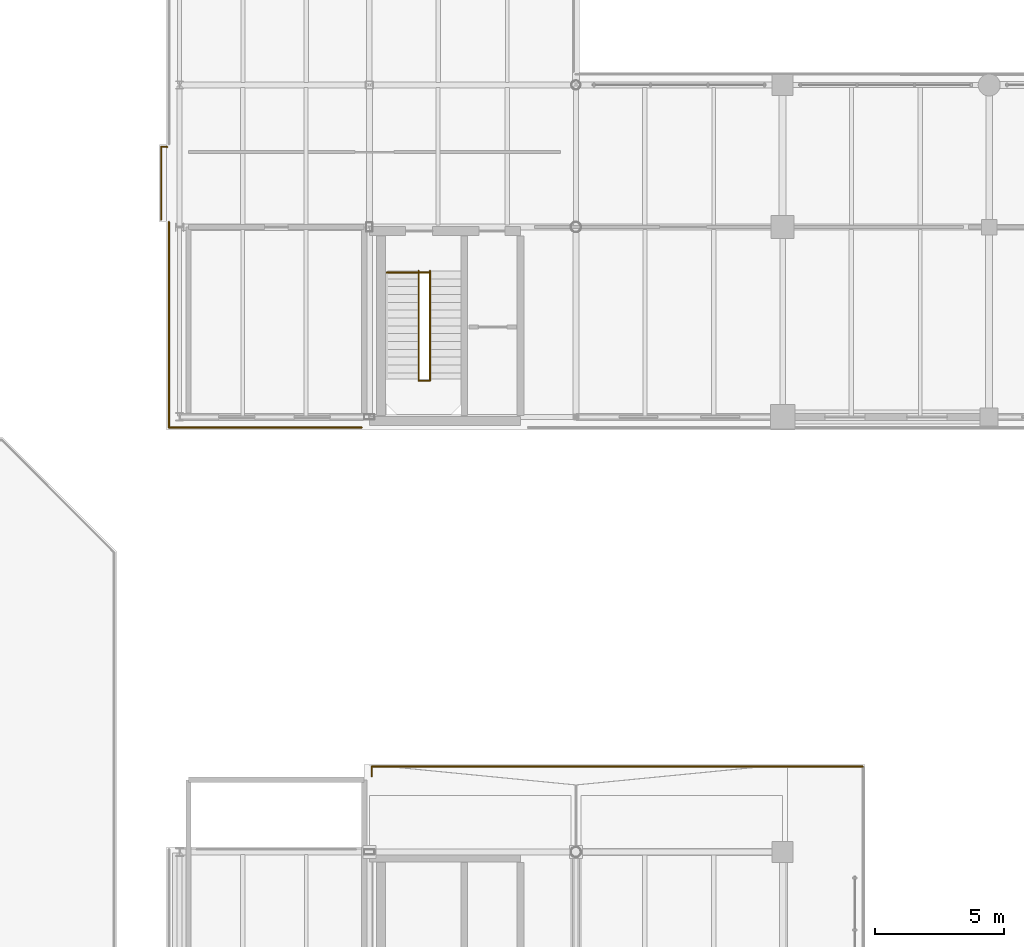
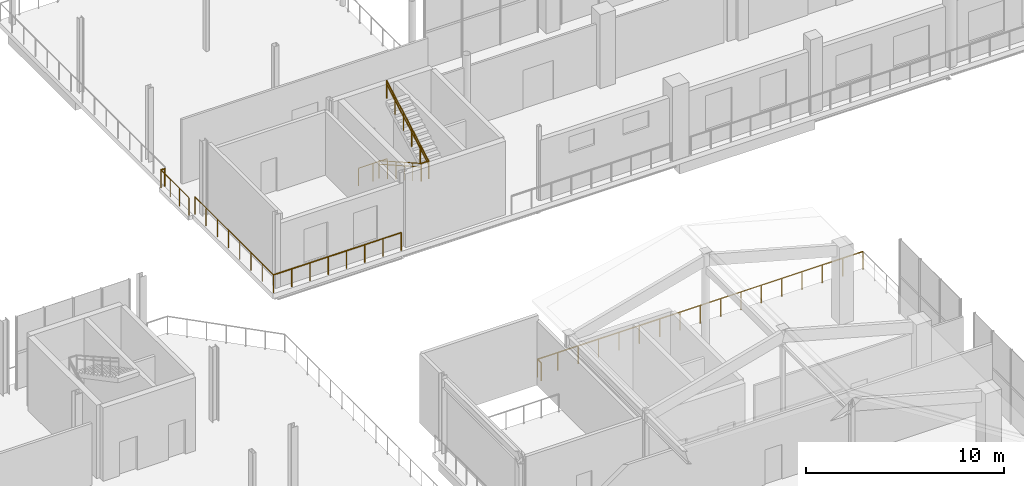
# One storey, part 67 of 70: 12 railings.
"""IFC4 building model written with IfcOpenShell, lengths in metres."""

import ifcopenshell
import ifcopenshell.guid

model = None  # the IFC model being written
_history = None  # IfcOwnerHistory: only IFC2X3 demands one
_inside = {}  # id of a spatial element -> (the spatial element, [elements in it])
_under = {}  # id of a project, library or spatial element -> (it, [spatial elements below it])
_declared = {}  # id of a project -> (the project, [libraries it declares])
_typed = {}  # id of a type object -> (the type object, [elements of that type])
_made_of = {}  # id of a material, layer set ... -> (it, [elements and type objects made of it])


def new_model(schema):
    """Start an empty IFC model of exactly this schema.

    Asked for "IFC4X3", IfcOpenShell would pick the latest addendum, in which some entities
    have other attributes; the version numbers below select the first issue.
    IFC2X3 requires an IfcOwnerHistory on every rooted entity: one is made here for all.
    """
    global model, _history
    if schema == "IFC4X3":
        model = ifcopenshell.file(schema_version=(4, 3, 0, 0))
    else:
        model = ifcopenshell.file(schema=schema)
    _inside.clear()
    _under.clear()
    _declared.clear()
    _typed.clear()
    _made_of.clear()
    _history = None
    if model.schema == "IFC2X3":
        org = make("IfcOrganization", Name="unknown")
        user = make(
            "IfcPersonAndOrganization",
            ThePerson=make("IfcPerson", FamilyName="unknown"),
            TheOrganization=org,
        )
        app = make(
            "IfcApplication",
            ApplicationDeveloper=org,
            Version="unknown",
            ApplicationFullName="unknown",
            ApplicationIdentifier="unknown",
        )
        _history = make(
            "IfcOwnerHistory",
            OwningUser=user,
            OwningApplication=app,
            ChangeAction="ADDED",
            CreationDate=0,
        )
    return model


def make(cls, **values):
    """One entity of the class cls with the attributes given. An attribute that is None is left unset."""
    return model.create_entity(
        cls, **{name: value for name, value in values.items() if value is not None}
    )


def rooted(cls, **values):
    """An entity with a GlobalId (a new one), such as an element, a storey or a relation."""
    return make(cls, GlobalId=ifcopenshell.guid.new(), OwnerHistory=_history, **values)


def si_unit(unit_type, name, prefix=None):
    """IfcSIUnit, for example si_unit("LENGTHUNIT", "METRE", prefix="MILLI")."""
    return make("IfcSIUnit", UnitType=unit_type, Prefix=prefix, Name=name)


def assignment(units):
    """IfcUnitAssignment: the units of a project."""
    return None if units is None else make("IfcUnitAssignment", Units=units)


def point(xyz):
    """IfcCartesianPoint."""
    return None if xyz is None else make("IfcCartesianPoint", Coordinates=xyz)


def direction(xyz):
    """IfcDirection."""
    return None if xyz is None else make("IfcDirection", DirectionRatios=xyz)


def frame(location, z_axis=None, x_axis=None):
    """IfcAxis2Placement3D, a coordinate frame: its origin and axes. An axis left out is left unset."""
    return make(
        "IfcAxis2Placement3D",
        Location=point(location),
        Axis=direction(z_axis),
        RefDirection=direction(x_axis),
    )


def frame_2d(location, x_axis=None):
    """IfcAxis2Placement2D, a coordinate frame in the plane: its origin and x axis."""
    return make(
        "IfcAxis2Placement2D", Location=point(location), RefDirection=direction(x_axis)
    )


def origin():
    """The frame at (0, 0, 0) with its axes left unset."""
    return frame((0.0, 0.0, 0.0))


def origin_2d():
    """The frame at (0, 0) in the plane with its x axis left unset."""
    return frame_2d((0.0, 0.0))


def place(relative_to, where):
    """IfcLocalPlacement: puts the frame where relative to a parent placement (None: the world)."""
    return make(
        "IfcLocalPlacement", PlacementRelTo=relative_to, RelativePlacement=where
    )


def context(
    kind, dimensions, precision=None, world=None, true_north=None, identifier=None
):
    """IfcGeometricRepresentationContext, for example the 3D "Model" context."""
    return make(
        "IfcGeometricRepresentationContext",
        ContextIdentifier=identifier,
        ContextType=kind,
        CoordinateSpaceDimension=dimensions,
        Precision=precision,
        WorldCoordinateSystem=world,
        TrueNorth=true_north,
    )


def subcontext(parent, identifier, kind, view, scale=None):
    """IfcGeometricRepresentationSubContext, for example "Body" below "Model"."""
    return make(
        "IfcGeometricRepresentationSubContext",
        ContextIdentifier=identifier,
        ContextType=kind,
        ParentContext=parent,
        TargetScale=scale,
        TargetView=view,
    )


def project(units=None, contexts=None):
    """IfcProject with its units and contexts."""
    return rooted(
        "IfcProject",
        Name="project",
        RepresentationContexts=contexts,
        UnitsInContext=assignment(units),
    )


def spatial(cls, under=None, at=None, **own):
    """A site, building, storey or space (cls), placed at a placement, below another one or the project."""
    s = rooted(cls, ObjectPlacement=at, **own)
    if under is not None:
        _under.setdefault(under.id(), (under, []))[1].append(s)
    return s


def profile(cls, at=None, kind="AREA", **sizes):
    """A parametric profile (cls). Its sizes go by their IFC names, for example OverallWidth=200.0."""
    return make(cls, ProfileType=kind, Position=at, **sizes)


def circle(**sizes):
    """IfcCircleProfileDef."""
    return profile("IfcCircleProfileDef", **sizes)


def extrude(swept, where, along, depth):
    """IfcExtrudedAreaSolid: the profile swept, set in the frame where, extruded along a direction by depth."""
    return make(
        "IfcExtrudedAreaSolid",
        SweptArea=swept,
        Position=where,
        ExtrudedDirection=direction(along),
        Depth=depth,
    )


def shape(context_of_items, identifier, shape_type, items):
    """IfcShapeRepresentation: the items that make up one representation, for example the "Body"."""
    return make(
        "IfcShapeRepresentation",
        ContextOfItems=context_of_items,
        RepresentationIdentifier=identifier,
        RepresentationType=shape_type,
        Items=items,
    )


def material(Name=None, Category=None):
    """IfcMaterial."""
    return make("IfcMaterial", Name=Name, Category=Category)


def made_of(thing, what):
    """Note that an element or type object is made of a material, layer set ...; save() writes the relation."""
    if what is not None:
        _made_of.setdefault(what.id(), (what, []))[1].append(thing)
    return thing


def type_object(cls, material=None, **own):
    """A type object (cls), such as IfcWallType, which elements share."""
    return made_of(rooted(cls, **own), material)


def element(
    cls,
    number,
    at=None,
    inside=None,
    cuts=None,
    type_object=None,
    material=None,
    context=None,
    identifier="Body",
    shape_type=None,
    held_by="IfcProductDefinitionShape",
    body=None,
    shapes=None,
    **own,
):
    """One element of the class cls, such as IfcWall. Its Tag is "e" and its number.

    at: its placement. inside: the storey or other place that contains it. cuts: it is an
    opening in that element (IfcRelVoidsElement). A single representation is given by context,
    identifier, shape_type and body (its items); several are given by shapes. held_by: the class
    of the entity that holds the representations. save() writes the other relations.
    """
    e = rooted(cls, Tag="e%d" % number, ObjectPlacement=at, **own)
    if body is not None:
        shapes = [shape(context, identifier, shape_type, body)]
    if shapes is not None:
        e.Representation = make(held_by, Representations=shapes)
    if inside is not None:
        _inside.setdefault(inside.id(), (inside, []))[1].append(e)
    if cuts is not None:
        rooted(
            "IfcRelVoidsElement", RelatingBuildingElement=cuts, RelatedOpeningElement=e
        )
    if type_object is not None:
        _typed.setdefault(type_object.id(), (type_object, []))[1].append(e)
    return made_of(e, material)


def aggregate(whole, parts):
    """IfcRelAggregates: a whole, such as a stair, and the parts it consists of."""
    return rooted("IfcRelAggregates", RelatingObject=whole, RelatedObjects=parts)


def save(model, path):
    """Write the relations noted so far, then the file.

    IfcRelAggregates (storeys below a building ...), IfcRelContainedInSpatialStructure (elements
    in a storey), IfcRelDefinesByType, IfcRelAssociatesMaterial and IfcRelDeclares: one each for
    every whole, place, type object, material and project.
    """
    for whole, parts in _under.values():
        aggregate(whole, parts)
    for where, things in _inside.values():
        rooted(
            "IfcRelContainedInSpatialStructure",
            RelatedElements=things,
            RelatingStructure=where,
        )
    for kind, things in _typed.values():
        rooted("IfcRelDefinesByType", RelatedObjects=things, RelatingType=kind)
    for what, things in _made_of.values():
        rooted("IfcRelAssociatesMaterial", RelatedObjects=things, RelatingMaterial=what)
    for by, libraries in _declared.values():
        rooted("IfcRelDeclares", RelatingContext=by, RelatedDefinitions=libraries)
    model.write(path)


model = new_model("IFC4")

# Units and contexts
model_context = context("Model", 3, precision=1e-05, world=origin(), true_north=direction((0.0, 1.0)))
body_context = subcontext(model_context, "Body", "Model", "MODEL_VIEW")
ifc_project = project(units=[si_unit("LENGTHUNIT", "METRE"), si_unit("AREAUNIT", "SQUARE_METRE"), si_unit("VOLUMEUNIT", "CUBIC_METRE"), si_unit("PLANEANGLEUNIT", "RADIAN"), si_unit("MASSUNIT", "GRAM", prefix="KILO")], contexts=[model_context])

# Site, building, storey
site_placement = place(None, origin())
site = spatial("IfcSite", under=ifc_project, at=site_placement, CompositionType="ELEMENT")
building_placement = place(site_placement, origin())
building = spatial("IfcBuilding", under=site, at=building_placement, Name="Brisemont Oceanarium", CompositionType="ELEMENT")
storey_placement = place(building_placement, frame((0.0, 0.0, 10.199951171875)))
storey = spatial("IfcBuildingStorey", under=building, at=storey_placement, Name="L02", CompositionType="ELEMENT", Elevation=10.199951171875)

# Railings
ifc_material_1 = material(Name="Duplex Stainless Steel EN 1.4462", Category="steel")
railing_type_1 = type_object("IfcRailingType", Name="RLG-GUARD-1120", PredefinedType="GUARDRAIL", material=ifc_material_1)
railing_1_placement = place(storey_placement, frame((120.669921875, 86.239990234375, 0.0)))
element("IfcRailing", 1, at=railing_1_placement, inside=storey, type_object=railing_type_1, Name="ST-07 L02 landing edge guard", PredefinedType="GUARDRAIL", context=body_context, shape_type="SweptSolid", body=[
    extrude(circle(Radius=0.02392578125, at=origin_2d()), frame((0.0, 0.0, 1.09619140625), z_axis=(1.0, 0.0, 0.0), x_axis=(0.0, 1.0, 0.0)), (0.0, 0.0, 1.0), 1.68017578125),
    extrude(circle(Radius=0.02099609375, at=origin_2d()), origin(), (0.0, 0.0, 1.0), 1.072021484375),
    extrude(circle(Radius=0.02099609375, at=origin_2d()), frame((0.840087890625, 0.0, 0.0)), (0.0, 0.0, 1.0), 1.072021484375),
    extrude(circle(Radius=0.02099609375, at=origin_2d()), frame((1.68017578125, 0.0, 0.0)), (0.0, 0.0, 1.0), 1.072021484375),
])
railing_2_placement = place(storey_placement, frame((121.909912109375, 86.300048828125, 0.0)))
element("IfcRailing", 2, at=railing_2_placement, inside=storey, type_object=railing_type_1, Name="ST-07 L02 F1 well guard", PredefinedType="GUARDRAIL", context=body_context, shape_type="SweptSolid", body=[
    extrude(circle(Radius=0.02392578125, at=origin_2d()), frame((0.0, 0.0, 1.09619140625), z_axis=(0.0, -0.870740716755, 0.491742416499), x_axis=(1.0, 0.0, 0.0)), (0.0, 0.0, 1.0), 4.880859375),
    extrude(circle(Radius=0.02099609375, at=origin_2d()), origin(), (0.0, 0.0, 1.0), 1.072021484375),
    extrude(circle(Radius=0.02099609375, at=origin_2d()), frame((0.0, -0.85009765625, 0.47998046875)), (0.0, 0.0, 1.0), 1.072021484375),
    extrude(circle(Radius=0.02099609375, at=origin_2d()), frame((0.0, -1.699951171875, 0.9599609375)), (0.0, 0.0, 1.0), 1.072021484375),
    extrude(circle(Radius=0.02099609375, at=origin_2d()), frame((0.0, -2.550048828125, 1.440185546875)), (0.0, 0.0, 1.0), 1.072021484375),
    extrude(circle(Radius=0.02099609375, at=origin_2d()), frame((0.0, -3.39990234375, 1.920166015625)), (0.0, 0.0, 1.0), 1.072021484375),
    extrude(circle(Radius=0.02099609375, at=origin_2d()), frame((0.0, -4.25, 2.400146484375)), (0.0, 0.0, 1.0), 1.072021484375),
])
railing_3_placement = place(storey_placement, frame((122.35009765625, 82.050048828125, 2.400146484375)))
element("IfcRailing", 3, at=railing_3_placement, inside=storey, type_object=railing_type_1, Name="ST-07 L02 F2 well guard", PredefinedType="GUARDRAIL", context=body_context, shape_type="SweptSolid", body=[
    extrude(circle(Radius=0.02392578125, at=origin_2d()), frame((0.0, 0.0, 1.09619140625), z_axis=(0.0, 0.870762133844, 0.491704490791), x_axis=(-1.0, 0.0, 0.0)), (0.0, 0.0, 1.0), 4.880859375),
    extrude(circle(Radius=0.02099609375, at=origin_2d()), origin(), (0.0, 0.0, 1.0), 1.072021484375),
    extrude(circle(Radius=0.02099609375, at=origin_2d()), frame((0.0, 0.85009765625, 0.47998046875)), (0.0, 0.0, 1.0), 1.072021484375),
    extrude(circle(Radius=0.02099609375, at=origin_2d()), frame((0.0, 1.699951171875, 0.9599609375)), (0.0, 0.0, 1.0), 1.072021484375),
    extrude(circle(Radius=0.02099609375, at=origin_2d()), frame((0.0, 2.550048828125, 1.43994140625)), (0.0, 0.0, 1.0), 1.072021484375),
    extrude(circle(Radius=0.02099609375, at=origin_2d()), frame((0.0, 3.39990234375, 1.919921875)), (0.0, 0.0, 1.0), 1.072021484375),
    extrude(circle(Radius=0.02099609375, at=origin_2d()), frame((0.0, 4.25, 2.39990234375)), (0.0, 0.0, 1.0), 1.072021484375),
])
railing_4_placement = place(storey_placement, frame((121.909912109375, 82.050048828125, 2.400146484375)))
element("IfcRailing", 4, at=railing_4_placement, inside=storey, type_object=railing_type_1, Name="ST-07 L02 landing slot guard", PredefinedType="GUARDRAIL", context=body_context, shape_type="SweptSolid", body=[
    extrude(circle(Radius=0.02392578125, at=origin_2d()), frame((0.0, 0.0, 1.09619140625), z_axis=(1.0, 0.0, 0.0), x_axis=(0.0, 1.0, 0.0)), (0.0, 0.0, 1.0), 0.440185546875),
    extrude(circle(Radius=0.02099609375, at=origin_2d()), origin(), (0.0, 0.0, 1.0), 1.072021484375),
    extrude(circle(Radius=0.02099609375, at=origin_2d()), frame((0.440185546875, 0.0, 0.0)), (0.0, 0.0, 1.0), 1.072021484375),
])
railing_5_placement = place(storey_placement, frame((111.93994140625, 91.110107421875, 0.0)))
element("IfcRailing", 5, at=railing_5_placement, inside=storey, type_object=railing_type_1, Name="L02 slab perimeter safety guard 109", PredefinedType="GUARDRAIL", context=body_context, shape_type="SweptSolid", body=[
    extrude(circle(Radius=0.02392578125, at=origin_2d()), frame((0.0, 0.0, 1.09619140625), z_axis=(0.999691679207, -0.024830354883, 0.0), x_axis=(0.024830354883, 0.999691679207, 0.0)), (0.0, 0.0, 1.0), 0.22607421875),
    extrude(circle(Radius=0.02099609375, at=origin_2d()), origin(), (0.0, 0.0, 1.0), 1.072021484375),
    extrude(circle(Radius=0.02099609375, at=origin_2d()), frame((0.22607421875, -0.005615234375, 0.0)), (0.0, 0.0, 1.0), 1.072021484375),
])
railing_6_placement = place(storey_placement, frame((119.703125, 80.239990234375, 0.0)))
element("IfcRailing", 6, at=railing_6_placement, inside=storey, type_object=railing_type_1, Name="L02 slab perimeter safety guard 118", PredefinedType="GUARDRAIL", context=body_context, shape_type="SweptSolid", body=[
    extrude(circle(Radius=0.02392578125, at=origin_2d()), frame((0.0, 0.0, 1.09619140625), z_axis=(-1.0, 0.0, 0.0), x_axis=(0.0, -1.0, 0.0)), (0.0, 0.0, 1.0), 7.462646484375),
    extrude(circle(Radius=0.02099609375, at=origin_2d()), origin(), (0.0, 0.0, 1.0), 1.072021484375),
    extrude(circle(Radius=0.02099609375, at=origin_2d()), frame((-1.066162109375, 0.0, 0.0)), (0.0, 0.0, 1.0), 1.072021484375),
    extrude(circle(Radius=0.02099609375, at=origin_2d()), frame((-2.132080078125, 0.0, 0.0)), (0.0, 0.0, 1.0), 1.072021484375),
    extrude(circle(Radius=0.02099609375, at=origin_2d()), frame((-3.1982421875, 0.0, 0.0)), (0.0, 0.0, 1.0), 1.072021484375),
    extrude(circle(Radius=0.02099609375, at=origin_2d()), frame((-4.264404296875, 0.0, 0.0)), (0.0, 0.0, 1.0), 1.072021484375),
    extrude(circle(Radius=0.02099609375, at=origin_2d()), frame((-5.33056640625, 0.0, 0.0)), (0.0, 0.0, 1.0), 1.072021484375),
    extrude(circle(Radius=0.02099609375, at=origin_2d()), frame((-6.396484375, 0.0, 0.0)), (0.0, 0.0, 1.0), 1.072021484375),
    extrude(circle(Radius=0.02099609375, at=origin_2d()), frame((-7.462646484375, 0.0, 0.0)), (0.0, 0.0, 1.0), 1.072021484375),
])
railing_7_placement = place(storey_placement, frame((112.240478515625, 80.239990234375, 0.0)))
element("IfcRailing", 7, at=railing_7_placement, inside=storey, type_object=railing_type_1, Name="L02 slab perimeter safety guard 119", PredefinedType="GUARDRAIL", context=body_context, shape_type="SweptSolid", body=[
    extrude(circle(Radius=0.02392578125, at=origin_2d()), frame((0.0, 0.0, 1.09619140625), z_axis=(-6.1372284e-05, 0.999999998117, 0.0), x_axis=(-0.999999998117, -6.1372284e-05, 0.0)), (0.0, 0.0, 1.0), 7.9560546875),
    extrude(circle(Radius=0.02099609375, at=origin_2d()), origin(), (0.0, 0.0, 1.0), 1.072021484375),
    extrude(circle(Radius=0.02099609375, at=origin_2d()), frame((0.0, 1.136474609375, 0.0)), (0.0, 0.0, 1.0), 1.072021484375),
    extrude(circle(Radius=0.02099609375, at=origin_2d()), frame((-0.000244140625, 2.273193359375, 0.0)), (0.0, 0.0, 1.0), 1.072021484375),
    extrude(circle(Radius=0.02099609375, at=origin_2d()), frame((-0.000244140625, 3.40966796875, 0.0)), (0.0, 0.0, 1.0), 1.072021484375),
    extrude(circle(Radius=0.02099609375, at=origin_2d()), frame((-0.000244140625, 4.54638671875, 0.0)), (0.0, 0.0, 1.0), 1.072021484375),
    extrude(circle(Radius=0.02099609375, at=origin_2d()), frame((-0.000244140625, 5.682861328125, 0.0)), (0.0, 0.0, 1.0), 1.072021484375),
    extrude(circle(Radius=0.02099609375, at=origin_2d()), frame((-0.00048828125, 6.819580078125, 0.0)), (0.0, 0.0, 1.0), 1.072021484375),
    extrude(circle(Radius=0.02099609375, at=origin_2d()), frame((-0.00048828125, 7.9560546875, 0.0)), (0.0, 0.0, 1.0), 1.072021484375),
])
railing_8_placement = place(storey_placement, frame((111.93994140625, 88.2900390625, 0.0)))
element("IfcRailing", 8, at=railing_8_placement, inside=storey, type_object=railing_type_1, Name="L02 slab perimeter safety guard 120", PredefinedType="GUARDRAIL", context=body_context, shape_type="SweptSolid", body=[
    extrude(circle(Radius=0.02392578125, at=origin_2d()), frame((0.0, 0.0, 1.09619140625), z_axis=(0.0, 1.0, 0.0), x_axis=(-1.0, 0.0, 0.0)), (0.0, 0.0, 1.0), 2.820068359375),
    extrude(circle(Radius=0.02099609375, at=origin_2d()), origin(), (0.0, 0.0, 1.0), 1.072021484375),
    extrude(circle(Radius=0.02099609375, at=origin_2d()), frame((0.0, 0.93994140625, 0.0)), (0.0, 0.0, 1.0), 1.072021484375),
    extrude(circle(Radius=0.02099609375, at=origin_2d()), frame((0.0, 1.880126953125, 0.0)), (0.0, 0.0, 1.0), 1.072021484375),
    extrude(circle(Radius=0.02099609375, at=origin_2d()), frame((0.0, 2.820068359375, 0.0)), (0.0, 0.0, 1.0), 1.072021484375),
])
railing_9_placement = place(storey_placement, frame((120.090087890625, 66.734375, 0.0)))
element("IfcRailing", 9, at=railing_9_placement, inside=storey, type_object=railing_type_1, Name="L02 slab perimeter safety guard 130", PredefinedType="GUARDRAIL", context=body_context, shape_type="SweptSolid", body=[
    extrude(circle(Radius=0.02392578125, at=origin_2d()), frame((0.0, 0.0, 1.09619140625), z_axis=(0.0, 1.0, 0.0), x_axis=(-1.0, 0.0, 0.0)), (0.0, 0.0, 1.0), 0.375244140625),
    extrude(circle(Radius=0.02099609375, at=origin_2d()), origin(), (0.0, 0.0, 1.0), 1.072021484375),
    extrude(circle(Radius=0.02099609375, at=origin_2d()), frame((0.0, 0.375244140625, 0.0)), (0.0, 0.0, 1.0), 1.072021484375),
])
railing_10_placement = place(storey_placement, frame((120.090087890625, 67.109619140625, 0.0)))
element("IfcRailing", 10, at=railing_10_placement, inside=storey, type_object=railing_type_1, Name="L02 slab perimeter safety guard 131", PredefinedType="GUARDRAIL", context=body_context, shape_type="SweptSolid", body=[
    extrude(circle(Radius=0.02392578125, at=origin_2d()), frame((0.0, 0.0, 1.09619140625), z_axis=(0.99999999967, 2.5672623e-05, 0.0), x_axis=(-2.5672623e-05, 0.99999999967, 0.0)), (0.0, 0.0, 1.0), 19.01953125),
    extrude(circle(Radius=0.02099609375, at=origin_2d()), origin(), (0.0, 0.0, 1.0), 1.072021484375),
    extrude(circle(Radius=0.02099609375, at=origin_2d()), frame((1.188720703125, 0.0, 0.0)), (0.0, 0.0, 1.0), 1.072021484375),
    extrude(circle(Radius=0.02099609375, at=origin_2d()), frame((2.37744140625, 0.0, 0.0)), (0.0, 0.0, 1.0), 1.072021484375),
    extrude(circle(Radius=0.02099609375, at=origin_2d()), frame((3.566162109375, 0.0, 0.0)), (0.0, 0.0, 1.0), 1.072021484375),
    extrude(circle(Radius=0.02099609375, at=origin_2d()), frame((4.7548828125, 0.0, 0.0)), (0.0, 0.0, 1.0), 1.072021484375),
    extrude(circle(Radius=0.02099609375, at=origin_2d()), frame((5.943603515625, 0.000244140625, 0.0)), (0.0, 0.0, 1.0), 1.072021484375),
    extrude(circle(Radius=0.02099609375, at=origin_2d()), frame((7.13232421875, 0.000244140625, 0.0)), (0.0, 0.0, 1.0), 1.072021484375),
    extrude(circle(Radius=0.02099609375, at=origin_2d()), frame((8.321044921875, 0.000244140625, 0.0)), (0.0, 0.0, 1.0), 1.072021484375),
    extrude(circle(Radius=0.02099609375, at=origin_2d()), frame((9.509765625, 0.000244140625, 0.0)), (0.0, 0.0, 1.0), 1.072021484375),
    extrude(circle(Radius=0.02099609375, at=origin_2d()), frame((10.698486328125, 0.000244140625, 0.0)), (0.0, 0.0, 1.0), 1.072021484375),
    extrude(circle(Radius=0.02099609375, at=origin_2d()), frame((11.88720703125, 0.000244140625, 0.0)), (0.0, 0.0, 1.0), 1.072021484375),
    extrude(circle(Radius=0.02099609375, at=origin_2d()), frame((13.075927734375, 0.000244140625, 0.0)), (0.0, 0.0, 1.0), 1.072021484375),
    extrude(circle(Radius=0.02099609375, at=origin_2d()), frame((14.2646484375, 0.00048828125, 0.0)), (0.0, 0.0, 1.0), 1.072021484375),
    extrude(circle(Radius=0.02099609375, at=origin_2d()), frame((15.453369140625, 0.00048828125, 0.0)), (0.0, 0.0, 1.0), 1.072021484375),
    extrude(circle(Radius=0.02099609375, at=origin_2d()), frame((16.64208984375, 0.00048828125, 0.0)), (0.0, 0.0, 1.0), 1.072021484375),
    extrude(circle(Radius=0.02099609375, at=origin_2d()), frame((17.830810546875, 0.00048828125, 0.0)), (0.0, 0.0, 1.0), 1.072021484375),
    extrude(circle(Radius=0.02099609375, at=origin_2d()), frame((19.01953125, 0.00048828125, 0.0)), (0.0, 0.0, 1.0), 1.072021484375),
])
ifc_material_2 = material(Name="Duplex Stainless Steel EN 1.4462", Category="steel")
railing_type_2 = type_object("IfcRailingType", Name="RLG-HAND-900", PredefinedType="HANDRAIL", material=ifc_material_2)
railing_11_placement = place(storey_placement, frame((121.909912109375, 86.300048828125, 0.0)))
element("IfcRailing", 11, at=railing_11_placement, inside=storey, type_object=railing_type_2, Name="ST-07 L02 F1 handrail", PredefinedType="HANDRAIL", context=body_context, shape_type="SweptSolid", body=[
    extrude(circle(Radius=0.02392578125, at=origin_2d()), frame((0.0, 0.0, 0.8759765625), z_axis=(0.0, -0.870740716755, 0.491742416499), x_axis=(1.0, 0.0, 0.0)), (0.0, 0.0, 1.0), 4.880859375),
    extrude(circle(Radius=0.02099609375, at=origin_2d()), origin(), (0.0, 0.0, 1.0), 0.851806640625),
    extrude(circle(Radius=0.02099609375, at=origin_2d()), frame((0.0, -0.85009765625, 0.47998046875)), (0.0, 0.0, 1.0), 0.851806640625),
    extrude(circle(Radius=0.02099609375, at=origin_2d()), frame((0.0, -1.699951171875, 0.9599609375)), (0.0, 0.0, 1.0), 0.851806640625),
    extrude(circle(Radius=0.02099609375, at=origin_2d()), frame((0.0, -2.550048828125, 1.440185546875)), (0.0, 0.0, 1.0), 0.851806640625),
    extrude(circle(Radius=0.02099609375, at=origin_2d()), frame((0.0, -3.39990234375, 1.920166015625)), (0.0, 0.0, 1.0), 0.851806640625),
    extrude(circle(Radius=0.02099609375, at=origin_2d()), frame((0.0, -4.25, 2.400146484375)), (0.0, 0.0, 1.0), 0.851806640625),
])
railing_12_placement = place(storey_placement, frame((122.35009765625, 82.050048828125, 2.400146484375)))
element("IfcRailing", 12, at=railing_12_placement, inside=storey, type_object=railing_type_2, Name="ST-07 L02 F2 handrail", PredefinedType="HANDRAIL", context=body_context, shape_type="SweptSolid", body=[
    extrude(circle(Radius=0.02392578125, at=origin_2d()), frame((0.0, 0.0, 0.8759765625), z_axis=(0.0, 0.870762133844, 0.491704490791), x_axis=(-1.0, 0.0, 0.0)), (0.0, 0.0, 1.0), 4.880859375),
    extrude(circle(Radius=0.02099609375, at=origin_2d()), origin(), (0.0, 0.0, 1.0), 0.851806640625),
    extrude(circle(Radius=0.02099609375, at=origin_2d()), frame((0.0, 0.85009765625, 0.47998046875)), (0.0, 0.0, 1.0), 0.851806640625),
    extrude(circle(Radius=0.02099609375, at=origin_2d()), frame((0.0, 1.699951171875, 0.9599609375)), (0.0, 0.0, 1.0), 0.851806640625),
    extrude(circle(Radius=0.02099609375, at=origin_2d()), frame((0.0, 2.550048828125, 1.43994140625)), (0.0, 0.0, 1.0), 0.851806640625),
    extrude(circle(Radius=0.02099609375, at=origin_2d()), frame((0.0, 3.39990234375, 1.919921875)), (0.0, 0.0, 1.0), 0.851806640625),
    extrude(circle(Radius=0.02099609375, at=origin_2d()), frame((0.0, 4.25, 2.39990234375)), (0.0, 0.0, 1.0), 0.851806640625),
])

save(model, "model.ifc")
